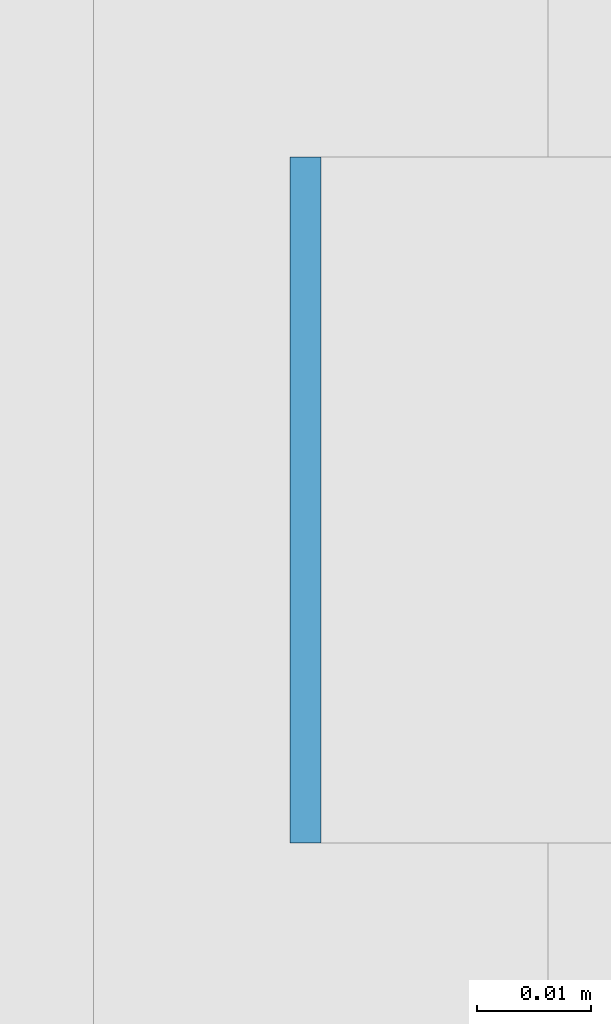
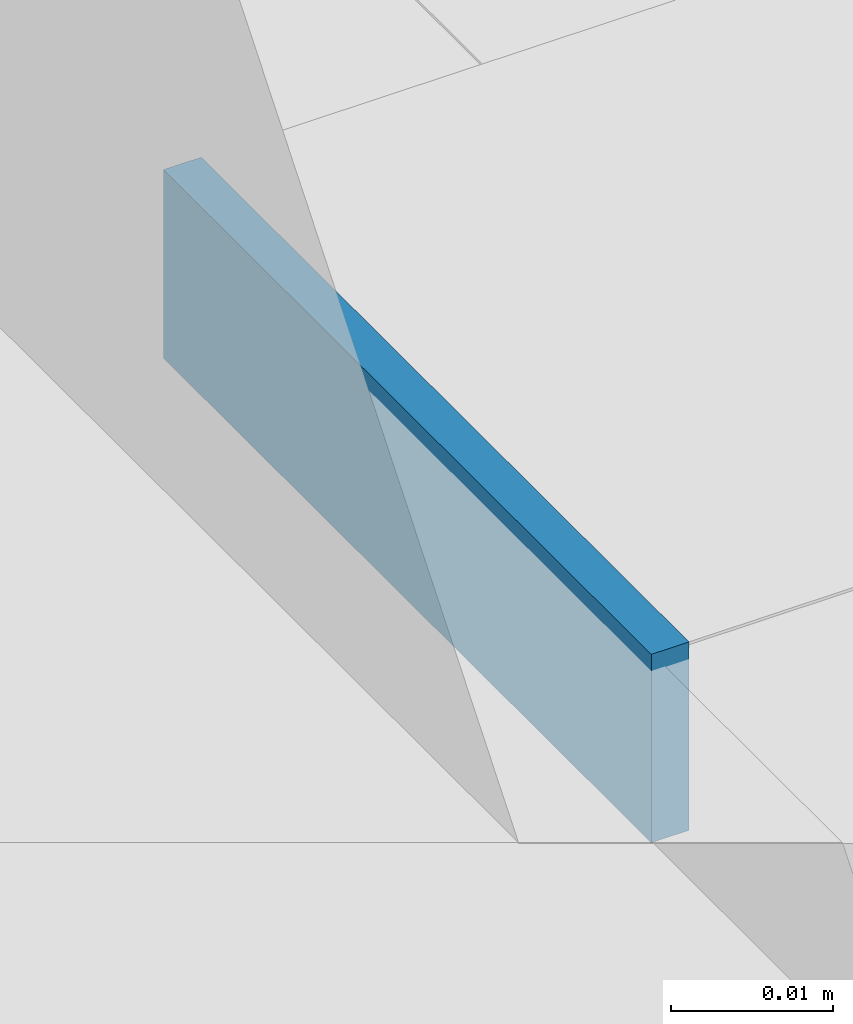
# One storey, part 449 of 646: 1 discrete accessory.
"""IFC4 building model written with IfcOpenShell, lengths in metres."""

from ifc_helpers import new_model, si_unit, direction, frame, origin, origin_2d, place, context, subcontext, project, spatial, rectangle, extrude, material, type_object, element, save


model = new_model("IFC4")

# Units and contexts
model_context = context("Model", 3, precision=1e-05, world=origin(), true_north=direction((0.0, 1.0)))
body_context = subcontext(model_context, "Body", "Model", "MODEL_VIEW")
ifc_project = project(units=[si_unit("LENGTHUNIT", "METRE"), si_unit("AREAUNIT", "SQUARE_METRE"), si_unit("VOLUMEUNIT", "CUBIC_METRE"), si_unit("PLANEANGLEUNIT", "RADIAN"), si_unit("MASSUNIT", "GRAM", prefix="KILO")], contexts=[model_context])

# Site, building, storey
site_placement = place(None, origin())
site = spatial("IfcSite", under=ifc_project, at=site_placement, CompositionType="ELEMENT")
building_placement = place(site_placement, origin())
building = spatial("IfcBuilding", under=site, at=building_placement, Name="Silverbay Arena", CompositionType="ELEMENT")
storey_placement = place(building_placement, frame((0.0, 0.0, 33.5)))
storey = spatial("IfcBuildingStorey", under=building, at=storey_placement, Name="L05", CompositionType="ELEMENT", Elevation=33.5)

# Discrete accessory
ifc_material = material(Name="Steel S355", Category="steel")
discrete_accessory_type = type_object("IfcDiscreteAccessoryType", Name="Steel bracket plate", PredefinedType="BRACKET", material=ifc_material)
discrete_accessory_placement = place(storey_placement, frame((207.128662109375, 38.571533203125, 12.98583984375), z_axis=(0.0, 0.0, 1.0), x_axis=(1.0, 0.0, 0.0)))
element("IfcDiscreteAccessory", 1, at=discrete_accessory_placement, inside=storey, type_object=discrete_accessory_type, Name="Curtain wall packing plate", PredefinedType="BRACKET", context=body_context, shape_type="SweptSolid", body=[
    extrude(rectangle(XDim=0.002685546875, YDim=0.06005859375, at=origin_2d()), origin(), (0.0, 0.0, 1.0), 0.01416015625),
])

save(model, "model.ifc")
